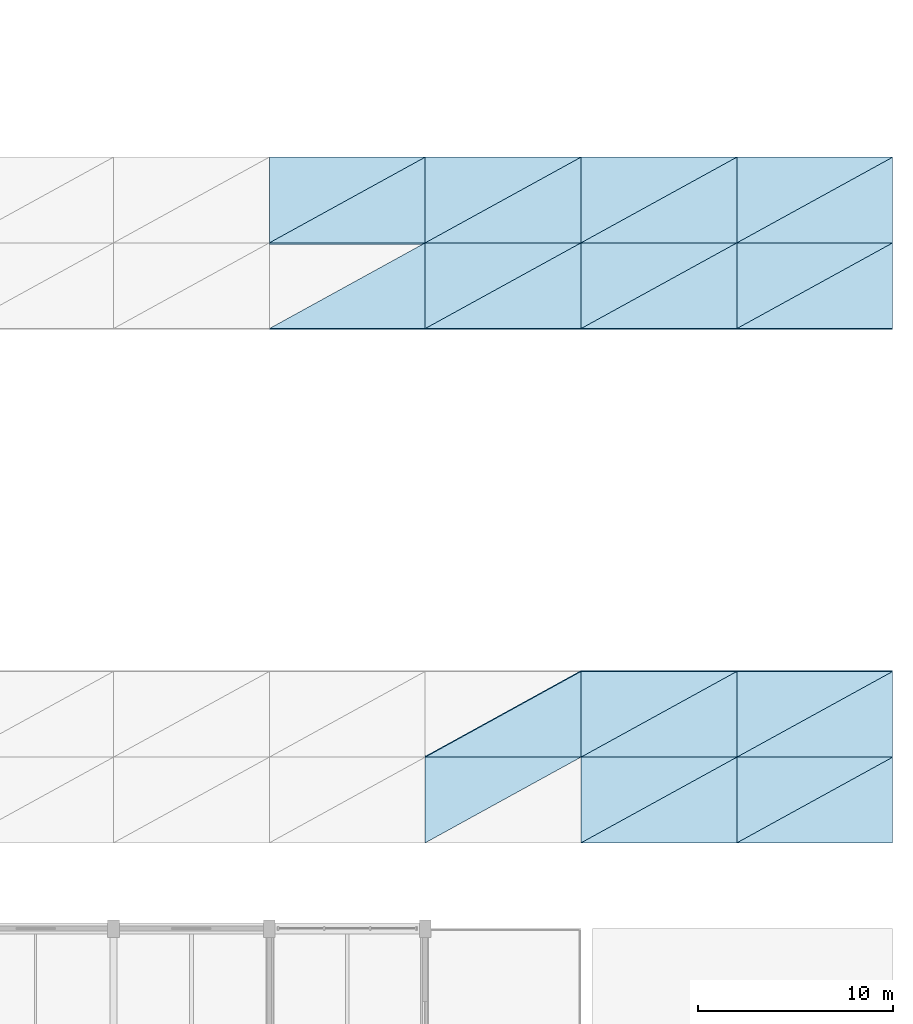
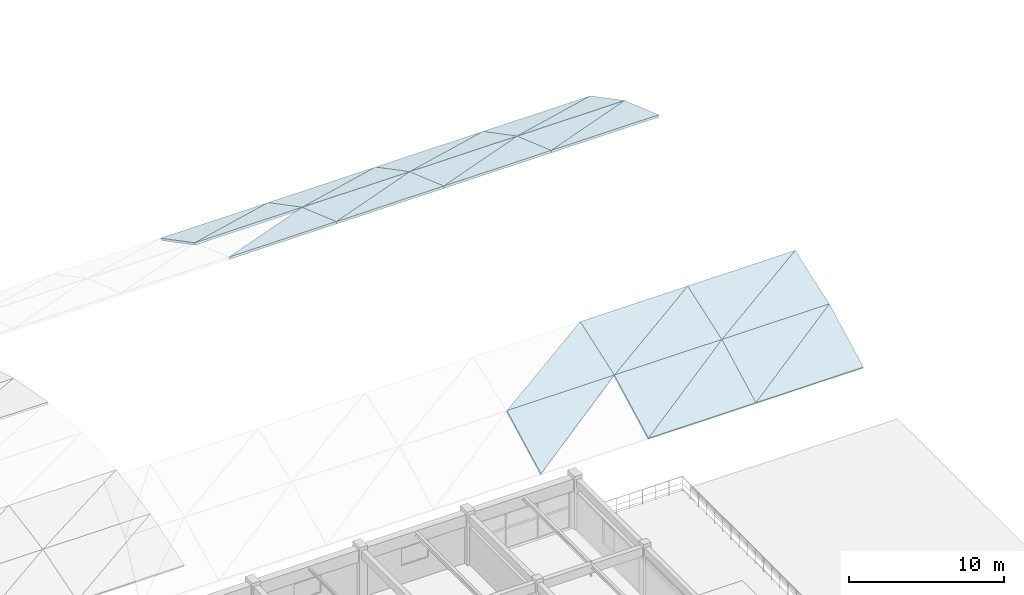
# One storey, part 52 of 63: 25 roofs.
"""IFC4 building model written with IfcOpenShell, lengths in metres."""

from ifc_helpers import new_model, si_unit, direction, frame, origin, place, context, subcontext, project, spatial, polyline, outline, extrude, material, layer, layer_set, type_object, element, save


model = new_model("IFC4")

# Units and contexts
model_context = context("Model", 3, precision=1e-05, world=origin(), true_north=direction((0.0, 1.0)))
body_context = subcontext(model_context, "Body", "Model", "MODEL_VIEW")
ifc_project = project(units=[si_unit("LENGTHUNIT", "METRE"), si_unit("AREAUNIT", "SQUARE_METRE"), si_unit("VOLUMEUNIT", "CUBIC_METRE"), si_unit("PLANEANGLEUNIT", "RADIAN"), si_unit("MASSUNIT", "GRAM", prefix="KILO")], contexts=[model_context])

# Site, building, storey
site_placement = place(None, origin())
site = spatial("IfcSite", under=ifc_project, at=site_placement, CompositionType="ELEMENT")
building_placement = place(site_placement, origin())
building = spatial("IfcBuilding", under=site, at=building_placement, Name="Varnabhumi Central Station", CompositionType="ELEMENT")
storey_placement = place(building_placement, frame((0.0, 0.0, 20.39990234375)))
storey = spatial("IfcBuildingStorey", under=building, at=storey_placement, Name="L04", CompositionType="ELEMENT", Elevation=20.39990234375)

# Roofs
ifc_material = material(Name="Champagne bronze diamond metal panel")
ifc_layer = layer(ifc_material, 0.159912109375, Name="Champagne bronze diamond metal panel")
ifc_layer_set = layer_set([ifc_layer], Name="Champagne bronze diamond metal panel")
roof_type = type_object("IfcRoofType", Name="ROOF-VAULT-BARREL", PredefinedType="BARREL_ROOF", material=ifc_layer_set)
roof_1_placement = place(storey_placement, frame((152.0, 66.800048828125, 5.234619140625), z_axis=(0.0, 0.331716436742, 0.943379142018), x_axis=(1.0, 0.0, 0.0)))
element("IfcRoof", 1, at=roof_1_placement, inside=storey, type_object=roof_type, Name="Platform Train-Shed Vault Diamond Shell Panel 4-8A", PredefinedType="BARREL_ROOF", context=body_context, shape_type="SweptSolid", body=[
    extrude(outline(polyline([(0.0, 0.0), (8.0, 0.0), (8.0, 4.663980946554668), (0.0, 0.0)])), origin(), (0.0, 0.0, -1.0), 0.159912109375),
])
roof_2_placement = place(storey_placement, frame((152.0, 71.199951171875, 3.69873046875), z_axis=(0.0, 0.464407224337, 0.88562177592), x_axis=(1.0, 0.0, 0.0)))
element("IfcRoof", 2, at=roof_2_placement, inside=storey, type_object=roof_type, Name="Platform Train-Shed Vault Diamond Shell Panel 4-9A", PredefinedType="BARREL_ROOF", context=body_context, shape_type="SweptSolid", body=[
    extrude(outline(polyline([(0.0, 0.0), (8.0, 0.0), (8.0, 4.968426256009331), (0.0, 0.0)])), origin(), (0.0, 0.0, -1.0), 0.159912109375),
])
for number, where, z_axis, x_axis, name in (
    (3, (152.0, 71.199951171875, 3.69873046875), (0.0, 0.464407224337, 0.88562177592), (0.849501727798, 0.46724150513, -0.245014673749), "Platform Train-Shed Vault Diamond Shell Panel 4-9B"),
    (4, (160.0, 40.39990234375, 1.391357421875), (0.0, -0.464407224337, 0.88562177592), (0.849501727798, 0.46724150513, 0.245014673749), "Platform Train-Shed Vault Diamond Shell Panel 5-2B"),
):
    element("IfcRoof", number, at=place(storey_placement, frame(where, z_axis=z_axis, x_axis=x_axis)), inside=storey, type_object=roof_type, Name=name, PredefinedType="BARREL_ROOF", context=body_context, shape_type="SweptSolid", body=[
        extrude(outline(polyline([(0.0, 0.0), (9.417285142831924, -5.551115123125783e-16), (2.621271320449755, 4.2206866889157375), (0.0, 0.0)])), origin(), (0.0, 0.0, -1.0), 0.159912109375),
    ])
for number, where, z_axis, x_axis, name in (
    (5, (160.0, 44.800048828125, 3.6875), (0.0, -0.331716436742, 0.943379142018), (1.0, 0.0, 0.0), "Platform Train-Shed Vault Diamond Shell Panel 5-3A"),
    (6, (160.0, 66.800048828125, 5.234619140625), (0.0, 0.331716436742, 0.943379142018), (1.0, 0.0, 0.0), "Platform Train-Shed Vault Diamond Shell Panel 5-8A"),
):
    element("IfcRoof", number, at=place(storey_placement, frame(where, z_axis=z_axis, x_axis=x_axis)), inside=storey, type_object=roof_type, Name=name, PredefinedType="BARREL_ROOF", context=body_context, shape_type="SweptSolid", body=[
        extrude(outline(polyline([(0.0, 0.0), (8.0, 0.0), (8.0, 4.663980946554668), (0.0, 0.0)])), origin(), (0.0, 0.0, -1.0), 0.159912109375),
    ])
roof_3_placement = place(storey_placement, frame((160.0, 66.800048828125, 5.234619140625), z_axis=(0.0, 0.331716436742, 0.943379142018), x_axis=(0.863905102688, 0.475137260762, -0.167070515007)))
element("IfcRoof", 7, at=roof_3_placement, inside=storey, type_object=roof_type, Name="Platform Train-Shed Vault Diamond Shell Panel 5-8B", PredefinedType="BARREL_ROOF", context=body_context, shape_type="SweptSolid", body=[
    extrude(outline(polyline([(0.0, 0.0), (9.26027636033747, -5.551115123125783e-17), (2.3490355388305337, 4.029236938569898), (0.0, 0.0)])), origin(), (0.0, 0.0, -1.0), 0.159912109375),
])
roof_4_placement = place(storey_placement, frame((160.0, 71.199951171875, 3.69873046875), z_axis=(0.0, 0.464407224337, 0.88562177592), x_axis=(1.0, 0.0, 0.0)))
element("IfcRoof", 8, at=roof_4_placement, inside=storey, type_object=roof_type, Name="Platform Train-Shed Vault Diamond Shell Panel 5-9A", PredefinedType="BARREL_ROOF", context=body_context, shape_type="SweptSolid", body=[
    extrude(outline(polyline([(0.0, 0.0), (8.0, 0.0), (8.0, 4.968426256009331), (0.0, 0.0)])), origin(), (0.0, 0.0, -1.0), 0.159912109375),
])
roof_5_placement = place(storey_placement, frame((160.0, 71.199951171875, 3.69873046875), z_axis=(0.0, 0.464407224337, 0.88562177592), x_axis=(0.849501727798, 0.46724150513, -0.245014673749)))
element("IfcRoof", 9, at=roof_5_placement, inside=storey, type_object=roof_type, Name="Platform Train-Shed Vault Diamond Shell Panel 5-9B", PredefinedType="BARREL_ROOF", context=body_context, shape_type="SweptSolid", body=[
    extrude(outline(polyline([(0.0, 0.0), (9.417285142831924, -5.551115123125783e-16), (2.621271320449755, 4.2206866889157375), (0.0, 0.0)])), origin(), (0.0, 0.0, -1.0), 0.159912109375),
])
roof_6_placement = place(storey_placement, frame((168.0, 40.39990234375, 1.391357421875), z_axis=(0.0, -0.464407224337, 0.88562177592), x_axis=(1.0, 0.0, 0.0)))
element("IfcRoof", 10, at=roof_6_placement, inside=storey, type_object=roof_type, Name="Platform Train-Shed Vault Diamond Shell Panel 6-2A", PredefinedType="BARREL_ROOF", context=body_context, shape_type="SweptSolid", body=[
    extrude(outline(polyline([(0.0, 0.0), (8.0, 0.0), (8.0, 4.968426256009331), (0.0, 0.0)])), origin(), (0.0, 0.0, -1.0), 0.159912109375),
])
roof_7_placement = place(storey_placement, frame((168.0, 40.39990234375, 1.391357421875), z_axis=(0.0, -0.464407224337, 0.88562177592), x_axis=(0.849501727798, 0.46724150513, 0.245014673749)))
element("IfcRoof", 11, at=roof_7_placement, inside=storey, type_object=roof_type, Name="Platform Train-Shed Vault Diamond Shell Panel 6-2B", PredefinedType="BARREL_ROOF", context=body_context, shape_type="SweptSolid", body=[
    extrude(outline(polyline([(0.0, 0.0), (9.417285142831924, -5.551115123125783e-16), (2.621271320449755, 4.2206866889157375), (0.0, 0.0)])), origin(), (0.0, 0.0, -1.0), 0.159912109375),
])
roof_8_placement = place(storey_placement, frame((168.0, 44.800048828125, 3.6875), z_axis=(0.0, -0.331716436742, 0.943379142018), x_axis=(1.0, 0.0, 0.0)))
element("IfcRoof", 12, at=roof_8_placement, inside=storey, type_object=roof_type, Name="Platform Train-Shed Vault Diamond Shell Panel 6-3A", PredefinedType="BARREL_ROOF", context=body_context, shape_type="SweptSolid", body=[
    extrude(outline(polyline([(0.0, 0.0), (8.0, 0.0), (8.0, 4.663980946554668), (0.0, 0.0)])), origin(), (0.0, 0.0, -1.0), 0.159912109375),
])
roof_9_placement = place(storey_placement, frame((168.0, 44.800048828125, 3.6875), z_axis=(0.0, -0.331716436742, 0.943379142018), x_axis=(0.863905102688, 0.475137260762, 0.167070515007)))
element("IfcRoof", 13, at=roof_9_placement, inside=storey, type_object=roof_type, Name="Platform Train-Shed Vault Diamond Shell Panel 6-3B", PredefinedType="BARREL_ROOF", context=body_context, shape_type="SweptSolid", body=[
    extrude(outline(polyline([(0.0, 0.0), (9.26027636033747, -5.551115123125783e-17), (2.3490355388305337, 4.029236938569898), (0.0, 0.0)])), origin(), (0.0, 0.0, -1.0), 0.159912109375),
])
roof_10_placement = place(storey_placement, frame((168.0, 66.800048828125, 5.234619140625), z_axis=(0.0, 0.331716436742, 0.943379142018), x_axis=(1.0, 0.0, 0.0)))
element("IfcRoof", 14, at=roof_10_placement, inside=storey, type_object=roof_type, Name="Platform Train-Shed Vault Diamond Shell Panel 6-8A", PredefinedType="BARREL_ROOF", context=body_context, shape_type="SweptSolid", body=[
    extrude(outline(polyline([(0.0, 0.0), (8.0, 0.0), (8.0, 4.663980946554668), (0.0, 0.0)])), origin(), (0.0, 0.0, -1.0), 0.159912109375),
])
roof_11_placement = place(storey_placement, frame((168.0, 66.800048828125, 5.234619140625), z_axis=(0.0, 0.331716436742, 0.943379142018), x_axis=(0.863905102688, 0.475137260762, -0.167070515007)))
element("IfcRoof", 15, at=roof_11_placement, inside=storey, type_object=roof_type, Name="Platform Train-Shed Vault Diamond Shell Panel 6-8B", PredefinedType="BARREL_ROOF", context=body_context, shape_type="SweptSolid", body=[
    extrude(outline(polyline([(0.0, 0.0), (9.26027636033747, -5.551115123125783e-17), (2.3490355388305337, 4.029236938569898), (0.0, 0.0)])), origin(), (0.0, 0.0, -1.0), 0.159912109375),
])
roof_12_placement = place(storey_placement, frame((168.0, 71.199951171875, 3.69873046875), z_axis=(0.0, 0.464407224337, 0.88562177592), x_axis=(1.0, 0.0, 0.0)))
element("IfcRoof", 16, at=roof_12_placement, inside=storey, type_object=roof_type, Name="Platform Train-Shed Vault Diamond Shell Panel 6-9A", PredefinedType="BARREL_ROOF", context=body_context, shape_type="SweptSolid", body=[
    extrude(outline(polyline([(0.0, 0.0), (8.0, 0.0), (8.0, 4.968426256009331), (0.0, 0.0)])), origin(), (0.0, 0.0, -1.0), 0.159912109375),
])
roof_13_placement = place(storey_placement, frame((168.0, 71.199951171875, 3.69873046875), z_axis=(0.0, 0.464407224337, 0.88562177592), x_axis=(0.849501727798, 0.46724150513, -0.245014673749)))
element("IfcRoof", 17, at=roof_13_placement, inside=storey, type_object=roof_type, Name="Platform Train-Shed Vault Diamond Shell Panel 6-9B", PredefinedType="BARREL_ROOF", context=body_context, shape_type="SweptSolid", body=[
    extrude(outline(polyline([(0.0, 0.0), (9.417285142831924, -5.551115123125783e-16), (2.621271320449755, 4.2206866889157375), (0.0, 0.0)])), origin(), (0.0, 0.0, -1.0), 0.159912109375),
])
roof_14_placement = place(storey_placement, frame((176.0, 40.39990234375, 1.391357421875), z_axis=(0.0, -0.464407224337, 0.88562177592), x_axis=(1.0, 0.0, 0.0)))
element("IfcRoof", 18, at=roof_14_placement, inside=storey, type_object=roof_type, Name="Platform Train-Shed Vault Diamond Shell Panel 7-2A", PredefinedType="BARREL_ROOF", context=body_context, shape_type="SweptSolid", body=[
    extrude(outline(polyline([(0.0, 0.0), (8.0, 0.0), (8.0, 4.968426256009331), (0.0, 0.0)])), origin(), (0.0, 0.0, -1.0), 0.159912109375),
])
roof_15_placement = place(storey_placement, frame((176.0, 40.39990234375, 1.391357421875), z_axis=(0.0, -0.464407224337, 0.88562177592), x_axis=(0.849501727798, 0.46724150513, 0.245014673749)))
element("IfcRoof", 19, at=roof_15_placement, inside=storey, type_object=roof_type, Name="Platform Train-Shed Vault Diamond Shell Panel 7-2B", PredefinedType="BARREL_ROOF", context=body_context, shape_type="SweptSolid", body=[
    extrude(outline(polyline([(0.0, 0.0), (9.417285142831924, -5.551115123125783e-16), (2.621271320449755, 4.2206866889157375), (0.0, 0.0)])), origin(), (0.0, 0.0, -1.0), 0.159912109375),
])
roof_16_placement = place(storey_placement, frame((176.0, 44.800048828125, 3.6875), z_axis=(0.0, -0.331716436742, 0.943379142018), x_axis=(1.0, 0.0, 0.0)))
element("IfcRoof", 20, at=roof_16_placement, inside=storey, type_object=roof_type, Name="Platform Train-Shed Vault Diamond Shell Panel 7-3A", PredefinedType="BARREL_ROOF", context=body_context, shape_type="SweptSolid", body=[
    extrude(outline(polyline([(0.0, 0.0), (8.0, 0.0), (8.0, 4.663980946554668), (0.0, 0.0)])), origin(), (0.0, 0.0, -1.0), 0.159912109375),
])
roof_17_placement = place(storey_placement, frame((176.0, 44.800048828125, 3.6875), z_axis=(0.0, -0.331716436742, 0.943379142018), x_axis=(0.863905102688, 0.475137260762, 0.167070515007)))
element("IfcRoof", 21, at=roof_17_placement, inside=storey, type_object=roof_type, Name="Platform Train-Shed Vault Diamond Shell Panel 7-3B", PredefinedType="BARREL_ROOF", context=body_context, shape_type="SweptSolid", body=[
    extrude(outline(polyline([(0.0, 0.0), (9.26027636033747, -5.551115123125783e-17), (2.3490355388305337, 4.029236938569898), (0.0, 0.0)])), origin(), (0.0, 0.0, -1.0), 0.159912109375),
])
roof_18_placement = place(storey_placement, frame((176.0, 66.800048828125, 5.234619140625), z_axis=(0.0, 0.331716436742, 0.943379142018), x_axis=(1.0, 0.0, 0.0)))
element("IfcRoof", 22, at=roof_18_placement, inside=storey, type_object=roof_type, Name="Platform Train-Shed Vault Diamond Shell Panel 7-8A", PredefinedType="BARREL_ROOF", context=body_context, shape_type="SweptSolid", body=[
    extrude(outline(polyline([(0.0, 0.0), (8.0, 0.0), (8.0, 4.663980946554668), (0.0, 0.0)])), origin(), (0.0, 0.0, -1.0), 0.159912109375),
])
roof_19_placement = place(storey_placement, frame((176.0, 66.800048828125, 5.234619140625), z_axis=(0.0, 0.331716436742, 0.943379142018), x_axis=(0.863905102688, 0.475137260762, -0.167070515007)))
element("IfcRoof", 23, at=roof_19_placement, inside=storey, type_object=roof_type, Name="Platform Train-Shed Vault Diamond Shell Panel 7-8B", PredefinedType="BARREL_ROOF", context=body_context, shape_type="SweptSolid", body=[
    extrude(outline(polyline([(0.0, 0.0), (9.26027636033747, -5.551115123125783e-17), (2.3490355388305337, 4.029236938569898), (0.0, 0.0)])), origin(), (0.0, 0.0, -1.0), 0.159912109375),
])
roof_20_placement = place(storey_placement, frame((176.0, 71.199951171875, 3.69873046875), z_axis=(0.0, 0.464407224337, 0.88562177592), x_axis=(1.0, 0.0, 0.0)))
element("IfcRoof", 24, at=roof_20_placement, inside=storey, type_object=roof_type, Name="Platform Train-Shed Vault Diamond Shell Panel 7-9A", PredefinedType="BARREL_ROOF", context=body_context, shape_type="SweptSolid", body=[
    extrude(outline(polyline([(0.0, 0.0), (8.0, 0.0), (8.0, 4.968426256009331), (0.0, 0.0)])), origin(), (0.0, 0.0, -1.0), 0.159912109375),
])
roof_21_placement = place(storey_placement, frame((176.0, 71.199951171875, 3.69873046875), z_axis=(0.0, 0.464407224337, 0.88562177592), x_axis=(0.849501727798, 0.46724150513, -0.245014673749)))
element("IfcRoof", 25, at=roof_21_placement, inside=storey, type_object=roof_type, Name="Platform Train-Shed Vault Diamond Shell Panel 7-9B", PredefinedType="BARREL_ROOF", context=body_context, shape_type="SweptSolid", body=[
    extrude(outline(polyline([(0.0, 0.0), (9.417285142831924, -5.551115123125783e-16), (2.621271320449755, 4.2206866889157375), (0.0, 0.0)])), origin(), (0.0, 0.0, -1.0), 0.159912109375),
])

save(model, "model.ifc")
